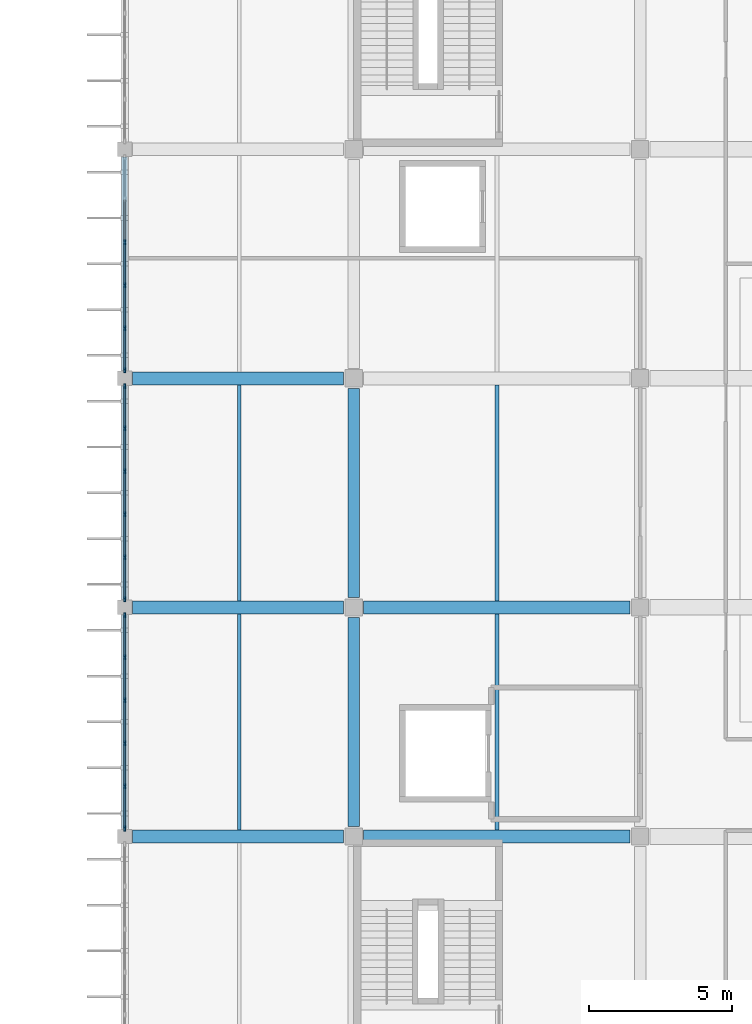
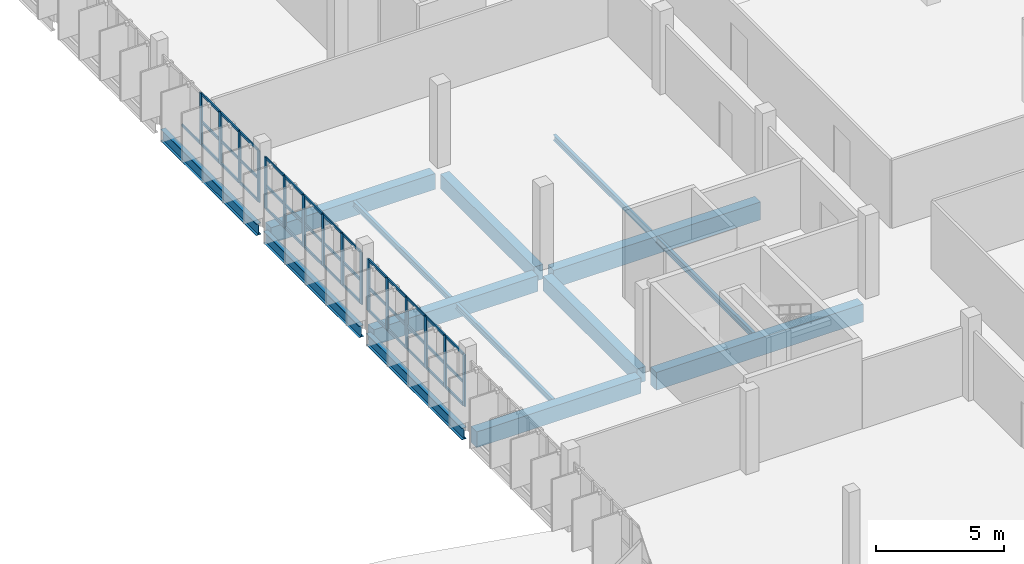
# One storey, part 29 of 66: 56 members, 14 beams, 3 elements without a shape of their own.
"""IFC4 building model written with IfcOpenShell, lengths in metres."""

from ifc_helpers import new_model, si_unit, direction, frame, origin, origin_2d, place, context, subcontext, project, spatial, rectangle, i_section, extrude, material, layer, layer_set, material_profile, profile_set, type_object, element, aggregate, save


model = new_model("IFC4")

# Units and contexts
model_context = context("Model", 3, precision=1e-05, world=origin(), true_north=direction((0.0, 1.0)))
body_context = subcontext(model_context, "Body", "Model", "MODEL_VIEW")
ifc_project = project(units=[si_unit("LENGTHUNIT", "METRE"), si_unit("AREAUNIT", "SQUARE_METRE"), si_unit("VOLUMEUNIT", "CUBIC_METRE"), si_unit("PLANEANGLEUNIT", "RADIAN"), si_unit("MASSUNIT", "GRAM", prefix="KILO")], contexts=[model_context])

# Site, building, storey
site_placement = place(None, origin())
site = spatial("IfcSite", under=ifc_project, at=site_placement, CompositionType="ELEMENT")
building_placement = place(site_placement, origin())
building = spatial("IfcBuilding", under=site, at=building_placement, Name="Drelvana Railside Aquatics Centre", CompositionType="ELEMENT")
storey_placement = place(building_placement, frame((0.0, 0.0, 10.199951171875)))
storey = spatial("IfcBuildingStorey", under=building, at=storey_placement, Name="L02", CompositionType="ELEMENT", Elevation=10.199951171875)

# Curtain wall, members
ifc_material_1 = material(Name="Bronze-anodised aluminium curtain wall", Category="aluminium")
ifc_layer = layer(ifc_material_1, 0.175048828125, Name="Bronze-anodised aluminium curtain wall")
ifc_layer_set = layer_set([ifc_layer], Name="Bronze-anodised aluminium curtain wall")
curtain_wall_type = type_object("IfcCurtainWallType", Name="CW-Z6-WING", PredefinedType="NOTDEFINED", material=ifc_layer_set)
curtain_wall_1_placement = place(storey_placement, origin())
curtain_wall_1 = element("IfcCurtainWall", 1, at=curtain_wall_1_placement, inside=storey, type_object=curtain_wall_type, Name="Curtain wall CW-06-142", PredefinedType="NOTDEFINED")
ifc_material_2 = material(Name="Bronze-anodised aluminium 6063-T6", Category="aluminium")
ifc_material_profile_1 = material_profile(ifc_material_2, rectangle(XDim=0.06494140625, YDim=0.175048828125, at=origin_2d()), Name="ALU-M 65x175")
ifc_profile_set_1 = profile_set([ifc_material_profile_1], Name="Bronze-anodised aluminium 6063-T6")
member_type_1 = type_object("IfcMemberType", Name="CW-Z6-WING-MUL", PredefinedType="MULLION", material=ifc_profile_set_1)
member_1_placement = place(storey_placement, frame((144.0, 32.276611328125, 0.7939453125), z_axis=(0.0, 0.0, 1.0), x_axis=(-1.0, 0.0, 0.0)))
member_1 = element("IfcMember", 2, at=member_1_placement, type_object=member_type_1, Name="CW-06 mullion 1", PredefinedType="MULLION", context=body_context, shape_type="SweptSolid", body=[
    extrude(rectangle(XDim=0.06494140625, YDim=0.175048828125, at=origin_2d()), origin(), (0.0, 0.0, 1.0), 2.4560546875),
])
member_2_placement = place(storey_placement, frame((144.0, 33.746337890625, 0.7939453125), z_axis=(0.0, 0.0, 1.0), x_axis=(-1.0, 0.0, 0.0)))
member_2 = element("IfcMember", 3, at=member_2_placement, type_object=member_type_1, Name="CW-06 mullion 2", PredefinedType="MULLION", context=body_context, shape_type="SweptSolid", body=[
    extrude(rectangle(XDim=0.06494140625, YDim=0.175048828125, at=origin_2d()), origin(), (0.0, 0.0, 1.0), 2.4560546875),
])
member_3_placement = place(storey_placement, frame((144.0, 35.248779296875, 0.7939453125), z_axis=(0.0, 0.0, 1.0), x_axis=(-1.0, 0.0, 0.0)))
member_3 = element("IfcMember", 4, at=member_3_placement, type_object=member_type_1, Name="CW-06 mullion 3", PredefinedType="MULLION", context=body_context, shape_type="SweptSolid", body=[
    extrude(rectangle(XDim=0.06494140625, YDim=0.175048828125, at=origin_2d()), origin(), (0.0, 0.0, 1.0), 2.4560546875),
])
member_4_placement = place(storey_placement, frame((144.0, 36.751220703125, 0.7939453125), z_axis=(0.0, 0.0, 1.0), x_axis=(-1.0, 0.0, 0.0)))
member_4 = element("IfcMember", 5, at=member_4_placement, type_object=member_type_1, Name="CW-06 mullion 4", PredefinedType="MULLION", context=body_context, shape_type="SweptSolid", body=[
    extrude(rectangle(XDim=0.06494140625, YDim=0.175048828125, at=origin_2d()), origin(), (0.0, 0.0, 1.0), 2.4560546875),
])
member_5_placement = place(storey_placement, frame((144.0, 38.253662109375, 0.7939453125), z_axis=(0.0, 0.0, 1.0), x_axis=(-1.0, 0.0, 0.0)))
member_5 = element("IfcMember", 6, at=member_5_placement, type_object=member_type_1, Name="CW-06 mullion 5", PredefinedType="MULLION", context=body_context, shape_type="SweptSolid", body=[
    extrude(rectangle(XDim=0.06494140625, YDim=0.175048828125, at=origin_2d()), origin(), (0.0, 0.0, 1.0), 2.4560546875),
])
member_6_placement = place(storey_placement, frame((144.0, 39.723388671875, 0.7939453125), z_axis=(0.0, 0.0, 1.0), x_axis=(-1.0, 0.0, 0.0)))
member_6 = element("IfcMember", 7, at=member_6_placement, type_object=member_type_1, Name="CW-06 mullion 6", PredefinedType="MULLION", context=body_context, shape_type="SweptSolid", body=[
    extrude(rectangle(XDim=0.06494140625, YDim=0.175048828125, at=origin_2d()), origin(), (0.0, 0.0, 1.0), 2.4560546875),
])

curtain_wall_2_placement = place(storey_placement, origin())
curtain_wall_2 = element("IfcCurtainWall", 8, at=curtain_wall_2_placement, inside=storey, type_object=curtain_wall_type, Name="Curtain wall CW-06-146", PredefinedType="NOTDEFINED")
member_7_placement = place(storey_placement, frame((144.0, 40.276611328125, 0.7939453125), z_axis=(0.0, 0.0, 1.0), x_axis=(-1.0, 0.0, 0.0)))
member_7 = element("IfcMember", 9, at=member_7_placement, type_object=member_type_1, Name="CW-06 mullion 1", PredefinedType="MULLION", context=body_context, shape_type="SweptSolid", body=[
    extrude(rectangle(XDim=0.06494140625, YDim=0.175048828125, at=origin_2d()), origin(), (0.0, 0.0, 1.0), 2.4560546875),
])
member_8_placement = place(storey_placement, frame((144.0, 41.746337890625, 0.7939453125), z_axis=(0.0, 0.0, 1.0), x_axis=(-1.0, 0.0, 0.0)))
member_8 = element("IfcMember", 10, at=member_8_placement, type_object=member_type_1, Name="CW-06 mullion 2", PredefinedType="MULLION", context=body_context, shape_type="SweptSolid", body=[
    extrude(rectangle(XDim=0.06494140625, YDim=0.175048828125, at=origin_2d()), origin(), (0.0, 0.0, 1.0), 2.4560546875),
])
member_9_placement = place(storey_placement, frame((144.0, 43.248779296875, 0.7939453125), z_axis=(0.0, 0.0, 1.0), x_axis=(-1.0, 0.0, 0.0)))
member_9 = element("IfcMember", 11, at=member_9_placement, type_object=member_type_1, Name="CW-06 mullion 3", PredefinedType="MULLION", context=body_context, shape_type="SweptSolid", body=[
    extrude(rectangle(XDim=0.06494140625, YDim=0.175048828125, at=origin_2d()), origin(), (0.0, 0.0, 1.0), 2.4560546875),
])
member_10_placement = place(storey_placement, frame((144.0, 44.751220703125, 0.7939453125), z_axis=(0.0, 0.0, 1.0), x_axis=(-1.0, 0.0, 0.0)))
member_10 = element("IfcMember", 12, at=member_10_placement, type_object=member_type_1, Name="CW-06 mullion 4", PredefinedType="MULLION", context=body_context, shape_type="SweptSolid", body=[
    extrude(rectangle(XDim=0.06494140625, YDim=0.175048828125, at=origin_2d()), origin(), (0.0, 0.0, 1.0), 2.4560546875),
])
member_11_placement = place(storey_placement, frame((144.0, 46.253662109375, 0.7939453125), z_axis=(0.0, 0.0, 1.0), x_axis=(-1.0, 0.0, 0.0)))
member_11 = element("IfcMember", 13, at=member_11_placement, type_object=member_type_1, Name="CW-06 mullion 5", PredefinedType="MULLION", context=body_context, shape_type="SweptSolid", body=[
    extrude(rectangle(XDim=0.06494140625, YDim=0.175048828125, at=origin_2d()), origin(), (0.0, 0.0, 1.0), 2.4560546875),
])
member_12_placement = place(storey_placement, frame((144.0, 47.723388671875, 0.7939453125), z_axis=(0.0, 0.0, 1.0), x_axis=(-1.0, 0.0, 0.0)))
member_12 = element("IfcMember", 14, at=member_12_placement, type_object=member_type_1, Name="CW-06 mullion 6", PredefinedType="MULLION", context=body_context, shape_type="SweptSolid", body=[
    extrude(rectangle(XDim=0.06494140625, YDim=0.175048828125, at=origin_2d()), origin(), (0.0, 0.0, 1.0), 2.4560546875),
])

curtain_wall_3_placement = place(storey_placement, origin())
curtain_wall_3 = element("IfcCurtainWall", 15, at=curtain_wall_3_placement, inside=storey, type_object=curtain_wall_type, Name="Curtain wall CW-06-150", PredefinedType="NOTDEFINED")
member_13_placement = place(storey_placement, frame((144.0, 48.276611328125, 0.7939453125), z_axis=(0.0, 0.0, 1.0), x_axis=(-1.0, 0.0, 0.0)))
member_13 = element("IfcMember", 16, at=member_13_placement, type_object=member_type_1, Name="CW-06 mullion 1", PredefinedType="MULLION", context=body_context, shape_type="SweptSolid", body=[
    extrude(rectangle(XDim=0.06494140625, YDim=0.175048828125, at=origin_2d()), origin(), (0.0, 0.0, 1.0), 2.4560546875),
])
member_14_placement = place(storey_placement, frame((144.0, 49.746337890625, 0.7939453125), z_axis=(0.0, 0.0, 1.0), x_axis=(-1.0, 0.0, 0.0)))
member_14 = element("IfcMember", 17, at=member_14_placement, type_object=member_type_1, Name="CW-06 mullion 2", PredefinedType="MULLION", context=body_context, shape_type="SweptSolid", body=[
    extrude(rectangle(XDim=0.06494140625, YDim=0.175048828125, at=origin_2d()), origin(), (0.0, 0.0, 1.0), 2.4560546875),
])
member_15_placement = place(storey_placement, frame((144.0, 51.248779296875, 0.7939453125), z_axis=(0.0, 0.0, 1.0), x_axis=(-1.0, 0.0, 0.0)))
member_15 = element("IfcMember", 18, at=member_15_placement, type_object=member_type_1, Name="CW-06 mullion 3", PredefinedType="MULLION", context=body_context, shape_type="SweptSolid", body=[
    extrude(rectangle(XDim=0.06494140625, YDim=0.175048828125, at=origin_2d()), origin(), (0.0, 0.0, 1.0), 2.4560546875),
])
member_16_placement = place(storey_placement, frame((144.0, 52.751220703125, 0.7939453125), z_axis=(0.0, 0.0, 1.0), x_axis=(-1.0, 0.0, 0.0)))
member_16 = element("IfcMember", 19, at=member_16_placement, type_object=member_type_1, Name="CW-06 mullion 4", PredefinedType="MULLION", context=body_context, shape_type="SweptSolid", body=[
    extrude(rectangle(XDim=0.06494140625, YDim=0.175048828125, at=origin_2d()), origin(), (0.0, 0.0, 1.0), 2.4560546875),
])

# Member
ifc_material_profile_2 = material_profile(ifc_material_2, rectangle(XDim=0.1201171875, YDim=0.06005859375, at=origin_2d()), Name="ALU-T 60x120")
ifc_profile_set_2 = profile_set([ifc_material_profile_2], Name="Bronze-anodised aluminium 6063-T6")
member_type_2 = type_object("IfcMemberType", Name="CW-Z6-WING-TRN", PredefinedType="USERDEFINED", material=ifc_profile_set_2)
member_17_placement = place(storey_placement, frame((144.0, 32.303955078125, 0.823974609375), z_axis=(0.0, 1.0, 0.0), x_axis=(0.0, 0.0, 1.0)))
member_17 = element("IfcMember", 20, at=member_17_placement, type_object=member_type_2, Name="CW-06 transom 1.1", ObjectType="TRANSOM", PredefinedType="USERDEFINED", context=body_context, shape_type="SweptSolid", body=[
    extrude(rectangle(XDim=0.1201171875, YDim=0.06005859375, at=origin_2d()), origin(), (0.0, 0.0, 1.0), 1.4150390625),
])

member_18_placement = place(storey_placement, frame((144.0, 32.303955078125, 1.899169921875), z_axis=(0.0, 1.0, 0.0), x_axis=(0.0, 0.0, 1.0)))
member_18 = element("IfcMember", 21, at=member_18_placement, type_object=member_type_2, Name="CW-06 transom 1.2", ObjectType="TRANSOM", PredefinedType="USERDEFINED", context=body_context, shape_type="SweptSolid", body=[
    extrude(rectangle(XDim=0.1201171875, YDim=0.06005859375, at=origin_2d()), origin(), (0.0, 0.0, 1.0), 1.4150390625),
])

member_19_placement = place(storey_placement, frame((144.0, 32.303955078125, 3.219970703125), z_axis=(0.0, 1.0, 0.0), x_axis=(0.0, 0.0, 1.0)))
member_19 = element("IfcMember", 22, at=member_19_placement, type_object=member_type_2, Name="CW-06 transom 1.3", ObjectType="TRANSOM", PredefinedType="USERDEFINED", context=body_context, shape_type="SweptSolid", body=[
    extrude(rectangle(XDim=0.1201171875, YDim=0.06005859375, at=origin_2d()), origin(), (0.0, 0.0, 1.0), 1.4150390625),
])

member_20_placement = place(storey_placement, frame((144.0, 33.77392578125, 0.823974609375), z_axis=(0.0, 1.0, 0.0), x_axis=(0.0, 0.0, 1.0)))
member_20 = element("IfcMember", 23, at=member_20_placement, type_object=member_type_2, Name="CW-06 transom 2.1", ObjectType="TRANSOM", PredefinedType="USERDEFINED", context=body_context, shape_type="SweptSolid", body=[
    extrude(rectangle(XDim=0.1201171875, YDim=0.06005859375, at=origin_2d()), origin(), (0.0, 0.0, 1.0), 1.447265625),
])

member_21_placement = place(storey_placement, frame((144.0, 33.77392578125, 1.899169921875), z_axis=(0.0, 1.0, 0.0), x_axis=(0.0, 0.0, 1.0)))
member_21 = element("IfcMember", 24, at=member_21_placement, type_object=member_type_2, Name="CW-06 transom 2.2", ObjectType="TRANSOM", PredefinedType="USERDEFINED", context=body_context, shape_type="SweptSolid", body=[
    extrude(rectangle(XDim=0.1201171875, YDim=0.06005859375, at=origin_2d()), origin(), (0.0, 0.0, 1.0), 1.447265625),
])

member_22_placement = place(storey_placement, frame((144.0, 33.77392578125, 3.219970703125), z_axis=(0.0, 1.0, 0.0), x_axis=(0.0, 0.0, 1.0)))
member_22 = element("IfcMember", 25, at=member_22_placement, type_object=member_type_2, Name="CW-06 transom 2.3", ObjectType="TRANSOM", PredefinedType="USERDEFINED", context=body_context, shape_type="SweptSolid", body=[
    extrude(rectangle(XDim=0.1201171875, YDim=0.06005859375, at=origin_2d()), origin(), (0.0, 0.0, 1.0), 1.447265625),
])

member_23_placement = place(storey_placement, frame((144.0, 35.2763671875, 0.823974609375), z_axis=(0.0, 1.0, 0.0), x_axis=(0.0, 0.0, 1.0)))
member_23 = element("IfcMember", 26, at=member_23_placement, type_object=member_type_2, Name="CW-06 transom 3.1", ObjectType="TRANSOM", PredefinedType="USERDEFINED", context=body_context, shape_type="SweptSolid", body=[
    extrude(rectangle(XDim=0.1201171875, YDim=0.06005859375, at=origin_2d()), origin(), (0.0, 0.0, 1.0), 1.447265625),
])

member_24_placement = place(storey_placement, frame((144.0, 35.2763671875, 1.899169921875), z_axis=(0.0, 1.0, 0.0), x_axis=(0.0, 0.0, 1.0)))
member_24 = element("IfcMember", 27, at=member_24_placement, type_object=member_type_2, Name="CW-06 transom 3.2", ObjectType="TRANSOM", PredefinedType="USERDEFINED", context=body_context, shape_type="SweptSolid", body=[
    extrude(rectangle(XDim=0.1201171875, YDim=0.06005859375, at=origin_2d()), origin(), (0.0, 0.0, 1.0), 1.447265625),
])

member_25_placement = place(storey_placement, frame((144.0, 35.2763671875, 3.219970703125), z_axis=(0.0, 1.0, 0.0), x_axis=(0.0, 0.0, 1.0)))
member_25 = element("IfcMember", 28, at=member_25_placement, type_object=member_type_2, Name="CW-06 transom 3.3", ObjectType="TRANSOM", PredefinedType="USERDEFINED", context=body_context, shape_type="SweptSolid", body=[
    extrude(rectangle(XDim=0.1201171875, YDim=0.06005859375, at=origin_2d()), origin(), (0.0, 0.0, 1.0), 1.447265625),
])

member_26_placement = place(storey_placement, frame((144.0, 36.77880859375, 0.823974609375), z_axis=(0.0, 1.0, 0.0), x_axis=(0.0, 0.0, 1.0)))
member_26 = element("IfcMember", 29, at=member_26_placement, type_object=member_type_2, Name="CW-06 transom 4.1", ObjectType="TRANSOM", PredefinedType="USERDEFINED", context=body_context, shape_type="SweptSolid", body=[
    extrude(rectangle(XDim=0.1201171875, YDim=0.06005859375, at=origin_2d()), origin(), (0.0, 0.0, 1.0), 1.447265625),
])

member_27_placement = place(storey_placement, frame((144.0, 36.77880859375, 1.899169921875), z_axis=(0.0, 1.0, 0.0), x_axis=(0.0, 0.0, 1.0)))
member_27 = element("IfcMember", 30, at=member_27_placement, type_object=member_type_2, Name="CW-06 transom 4.2", ObjectType="TRANSOM", PredefinedType="USERDEFINED", context=body_context, shape_type="SweptSolid", body=[
    extrude(rectangle(XDim=0.1201171875, YDim=0.06005859375, at=origin_2d()), origin(), (0.0, 0.0, 1.0), 1.447265625),
])

member_28_placement = place(storey_placement, frame((144.0, 36.77880859375, 3.219970703125), z_axis=(0.0, 1.0, 0.0), x_axis=(0.0, 0.0, 1.0)))
member_28 = element("IfcMember", 31, at=member_28_placement, type_object=member_type_2, Name="CW-06 transom 4.3", ObjectType="TRANSOM", PredefinedType="USERDEFINED", context=body_context, shape_type="SweptSolid", body=[
    extrude(rectangle(XDim=0.1201171875, YDim=0.06005859375, at=origin_2d()), origin(), (0.0, 0.0, 1.0), 1.447265625),
])

member_29_placement = place(storey_placement, frame((144.0, 38.281005859375, 0.823974609375), z_axis=(0.0, 1.0, 0.0), x_axis=(0.0, 0.0, 1.0)))
member_29 = element("IfcMember", 32, at=member_29_placement, type_object=member_type_2, Name="CW-06 transom 5.1", ObjectType="TRANSOM", PredefinedType="USERDEFINED", context=body_context, shape_type="SweptSolid", body=[
    extrude(rectangle(XDim=0.1201171875, YDim=0.06005859375, at=origin_2d()), origin(), (0.0, 0.0, 1.0), 1.4150390625),
])

member_30_placement = place(storey_placement, frame((144.0, 38.281005859375, 1.899169921875), z_axis=(0.0, 1.0, 0.0), x_axis=(0.0, 0.0, 1.0)))
member_30 = element("IfcMember", 33, at=member_30_placement, type_object=member_type_2, Name="CW-06 transom 5.2", ObjectType="TRANSOM", PredefinedType="USERDEFINED", context=body_context, shape_type="SweptSolid", body=[
    extrude(rectangle(XDim=0.1201171875, YDim=0.06005859375, at=origin_2d()), origin(), (0.0, 0.0, 1.0), 1.4150390625),
])

member_31_placement = place(storey_placement, frame((144.0, 38.281005859375, 3.219970703125), z_axis=(0.0, 1.0, 0.0), x_axis=(0.0, 0.0, 1.0)))
member_31 = element("IfcMember", 34, at=member_31_placement, type_object=member_type_2, Name="CW-06 transom 5.3", ObjectType="TRANSOM", PredefinedType="USERDEFINED", context=body_context, shape_type="SweptSolid", body=[
    extrude(rectangle(XDim=0.1201171875, YDim=0.06005859375, at=origin_2d()), origin(), (0.0, 0.0, 1.0), 1.4150390625),
])

aggregate(curtain_wall_1, [member_1, member_2, member_3, member_4, member_5, member_6, member_17, member_18, member_19, member_20, member_21, member_22, member_23, member_24, member_25, member_26, member_27, member_28, member_29, member_30, member_31])

member_32_placement = place(storey_placement, frame((144.0, 40.303955078125, 0.823974609375), z_axis=(0.0, 1.0, 0.0), x_axis=(0.0, 0.0, 1.0)))
member_32 = element("IfcMember", 35, at=member_32_placement, type_object=member_type_2, Name="CW-06 transom 1.1", ObjectType="TRANSOM", PredefinedType="USERDEFINED", context=body_context, shape_type="SweptSolid", body=[
    extrude(rectangle(XDim=0.1201171875, YDim=0.06005859375, at=origin_2d()), origin(), (0.0, 0.0, 1.0), 1.4150390625),
])

member_33_placement = place(storey_placement, frame((144.0, 40.303955078125, 1.899169921875), z_axis=(0.0, 1.0, 0.0), x_axis=(0.0, 0.0, 1.0)))
member_33 = element("IfcMember", 36, at=member_33_placement, type_object=member_type_2, Name="CW-06 transom 1.2", ObjectType="TRANSOM", PredefinedType="USERDEFINED", context=body_context, shape_type="SweptSolid", body=[
    extrude(rectangle(XDim=0.1201171875, YDim=0.06005859375, at=origin_2d()), origin(), (0.0, 0.0, 1.0), 1.4150390625),
])

member_34_placement = place(storey_placement, frame((144.0, 40.303955078125, 3.219970703125), z_axis=(0.0, 1.0, 0.0), x_axis=(0.0, 0.0, 1.0)))
member_34 = element("IfcMember", 37, at=member_34_placement, type_object=member_type_2, Name="CW-06 transom 1.3", ObjectType="TRANSOM", PredefinedType="USERDEFINED", context=body_context, shape_type="SweptSolid", body=[
    extrude(rectangle(XDim=0.1201171875, YDim=0.06005859375, at=origin_2d()), origin(), (0.0, 0.0, 1.0), 1.4150390625),
])

member_35_placement = place(storey_placement, frame((144.0, 41.77392578125, 0.823974609375), z_axis=(0.0, 1.0, 0.0), x_axis=(0.0, 0.0, 1.0)))
member_35 = element("IfcMember", 38, at=member_35_placement, type_object=member_type_2, Name="CW-06 transom 2.1", ObjectType="TRANSOM", PredefinedType="USERDEFINED", context=body_context, shape_type="SweptSolid", body=[
    extrude(rectangle(XDim=0.1201171875, YDim=0.06005859375, at=origin_2d()), origin(), (0.0, 0.0, 1.0), 1.447265625),
])

member_36_placement = place(storey_placement, frame((144.0, 41.77392578125, 1.899169921875), z_axis=(0.0, 1.0, 0.0), x_axis=(0.0, 0.0, 1.0)))
member_36 = element("IfcMember", 39, at=member_36_placement, type_object=member_type_2, Name="CW-06 transom 2.2", ObjectType="TRANSOM", PredefinedType="USERDEFINED", context=body_context, shape_type="SweptSolid", body=[
    extrude(rectangle(XDim=0.1201171875, YDim=0.06005859375, at=origin_2d()), origin(), (0.0, 0.0, 1.0), 1.447265625),
])

member_37_placement = place(storey_placement, frame((144.0, 41.77392578125, 3.219970703125), z_axis=(0.0, 1.0, 0.0), x_axis=(0.0, 0.0, 1.0)))
member_37 = element("IfcMember", 40, at=member_37_placement, type_object=member_type_2, Name="CW-06 transom 2.3", ObjectType="TRANSOM", PredefinedType="USERDEFINED", context=body_context, shape_type="SweptSolid", body=[
    extrude(rectangle(XDim=0.1201171875, YDim=0.06005859375, at=origin_2d()), origin(), (0.0, 0.0, 1.0), 1.447265625),
])

member_38_placement = place(storey_placement, frame((144.0, 43.2763671875, 0.823974609375), z_axis=(0.0, 1.0, 0.0), x_axis=(0.0, 0.0, 1.0)))
member_38 = element("IfcMember", 41, at=member_38_placement, type_object=member_type_2, Name="CW-06 transom 3.1", ObjectType="TRANSOM", PredefinedType="USERDEFINED", context=body_context, shape_type="SweptSolid", body=[
    extrude(rectangle(XDim=0.1201171875, YDim=0.06005859375, at=origin_2d()), origin(), (0.0, 0.0, 1.0), 1.447265625),
])

member_39_placement = place(storey_placement, frame((144.0, 43.2763671875, 1.899169921875), z_axis=(0.0, 1.0, 0.0), x_axis=(0.0, 0.0, 1.0)))
member_39 = element("IfcMember", 42, at=member_39_placement, type_object=member_type_2, Name="CW-06 transom 3.2", ObjectType="TRANSOM", PredefinedType="USERDEFINED", context=body_context, shape_type="SweptSolid", body=[
    extrude(rectangle(XDim=0.1201171875, YDim=0.06005859375, at=origin_2d()), origin(), (0.0, 0.0, 1.0), 1.447265625),
])

member_40_placement = place(storey_placement, frame((144.0, 43.2763671875, 3.219970703125), z_axis=(0.0, 1.0, 0.0), x_axis=(0.0, 0.0, 1.0)))
member_40 = element("IfcMember", 43, at=member_40_placement, type_object=member_type_2, Name="CW-06 transom 3.3", ObjectType="TRANSOM", PredefinedType="USERDEFINED", context=body_context, shape_type="SweptSolid", body=[
    extrude(rectangle(XDim=0.1201171875, YDim=0.06005859375, at=origin_2d()), origin(), (0.0, 0.0, 1.0), 1.447265625),
])

member_41_placement = place(storey_placement, frame((144.0, 44.77880859375, 0.823974609375), z_axis=(0.0, 1.0, 0.0), x_axis=(0.0, 0.0, 1.0)))
member_41 = element("IfcMember", 44, at=member_41_placement, type_object=member_type_2, Name="CW-06 transom 4.1", ObjectType="TRANSOM", PredefinedType="USERDEFINED", context=body_context, shape_type="SweptSolid", body=[
    extrude(rectangle(XDim=0.1201171875, YDim=0.06005859375, at=origin_2d()), origin(), (0.0, 0.0, 1.0), 1.447265625),
])

member_42_placement = place(storey_placement, frame((144.0, 44.77880859375, 1.899169921875), z_axis=(0.0, 1.0, 0.0), x_axis=(0.0, 0.0, 1.0)))
member_42 = element("IfcMember", 45, at=member_42_placement, type_object=member_type_2, Name="CW-06 transom 4.2", ObjectType="TRANSOM", PredefinedType="USERDEFINED", context=body_context, shape_type="SweptSolid", body=[
    extrude(rectangle(XDim=0.1201171875, YDim=0.06005859375, at=origin_2d()), origin(), (0.0, 0.0, 1.0), 1.447265625),
])

member_43_placement = place(storey_placement, frame((144.0, 44.77880859375, 3.219970703125), z_axis=(0.0, 1.0, 0.0), x_axis=(0.0, 0.0, 1.0)))
member_43 = element("IfcMember", 46, at=member_43_placement, type_object=member_type_2, Name="CW-06 transom 4.3", ObjectType="TRANSOM", PredefinedType="USERDEFINED", context=body_context, shape_type="SweptSolid", body=[
    extrude(rectangle(XDim=0.1201171875, YDim=0.06005859375, at=origin_2d()), origin(), (0.0, 0.0, 1.0), 1.447265625),
])

member_44_placement = place(storey_placement, frame((144.0, 46.281005859375, 0.823974609375), z_axis=(0.0, 1.0, 0.0), x_axis=(0.0, 0.0, 1.0)))
member_44 = element("IfcMember", 47, at=member_44_placement, type_object=member_type_2, Name="CW-06 transom 5.1", ObjectType="TRANSOM", PredefinedType="USERDEFINED", context=body_context, shape_type="SweptSolid", body=[
    extrude(rectangle(XDim=0.1201171875, YDim=0.06005859375, at=origin_2d()), origin(), (0.0, 0.0, 1.0), 1.4150390625),
])

member_45_placement = place(storey_placement, frame((144.0, 46.281005859375, 1.899169921875), z_axis=(0.0, 1.0, 0.0), x_axis=(0.0, 0.0, 1.0)))
member_45 = element("IfcMember", 48, at=member_45_placement, type_object=member_type_2, Name="CW-06 transom 5.2", ObjectType="TRANSOM", PredefinedType="USERDEFINED", context=body_context, shape_type="SweptSolid", body=[
    extrude(rectangle(XDim=0.1201171875, YDim=0.06005859375, at=origin_2d()), origin(), (0.0, 0.0, 1.0), 1.4150390625),
])

member_46_placement = place(storey_placement, frame((144.0, 46.281005859375, 3.219970703125), z_axis=(0.0, 1.0, 0.0), x_axis=(0.0, 0.0, 1.0)))
member_46 = element("IfcMember", 49, at=member_46_placement, type_object=member_type_2, Name="CW-06 transom 5.3", ObjectType="TRANSOM", PredefinedType="USERDEFINED", context=body_context, shape_type="SweptSolid", body=[
    extrude(rectangle(XDim=0.1201171875, YDim=0.06005859375, at=origin_2d()), origin(), (0.0, 0.0, 1.0), 1.4150390625),
])

aggregate(curtain_wall_2, [member_7, member_8, member_9, member_10, member_11, member_12, member_32, member_33, member_34, member_35, member_36, member_37, member_38, member_39, member_40, member_41, member_42, member_43, member_44, member_45, member_46])

member_47_placement = place(storey_placement, frame((144.0, 48.303955078125, 0.823974609375), z_axis=(0.0, 1.0, 0.0), x_axis=(0.0, 0.0, 1.0)))
member_47 = element("IfcMember", 50, at=member_47_placement, type_object=member_type_2, Name="CW-06 transom 1.1", ObjectType="TRANSOM", PredefinedType="USERDEFINED", context=body_context, shape_type="SweptSolid", body=[
    extrude(rectangle(XDim=0.1201171875, YDim=0.06005859375, at=origin_2d()), origin(), (0.0, 0.0, 1.0), 1.4150390625),
])

member_48_placement = place(storey_placement, frame((144.0, 48.303955078125, 1.899169921875), z_axis=(0.0, 1.0, 0.0), x_axis=(0.0, 0.0, 1.0)))
member_48 = element("IfcMember", 51, at=member_48_placement, type_object=member_type_2, Name="CW-06 transom 1.2", ObjectType="TRANSOM", PredefinedType="USERDEFINED", context=body_context, shape_type="SweptSolid", body=[
    extrude(rectangle(XDim=0.1201171875, YDim=0.06005859375, at=origin_2d()), origin(), (0.0, 0.0, 1.0), 1.4150390625),
])

member_49_placement = place(storey_placement, frame((144.0, 48.303955078125, 3.219970703125), z_axis=(0.0, 1.0, 0.0), x_axis=(0.0, 0.0, 1.0)))
member_49 = element("IfcMember", 52, at=member_49_placement, type_object=member_type_2, Name="CW-06 transom 1.3", ObjectType="TRANSOM", PredefinedType="USERDEFINED", context=body_context, shape_type="SweptSolid", body=[
    extrude(rectangle(XDim=0.1201171875, YDim=0.06005859375, at=origin_2d()), origin(), (0.0, 0.0, 1.0), 1.4150390625),
])

member_50_placement = place(storey_placement, frame((144.0, 49.77392578125, 0.823974609375), z_axis=(0.0, 1.0, 0.0), x_axis=(0.0, 0.0, 1.0)))
member_50 = element("IfcMember", 53, at=member_50_placement, type_object=member_type_2, Name="CW-06 transom 2.1", ObjectType="TRANSOM", PredefinedType="USERDEFINED", context=body_context, shape_type="SweptSolid", body=[
    extrude(rectangle(XDim=0.1201171875, YDim=0.06005859375, at=origin_2d()), origin(), (0.0, 0.0, 1.0), 1.447265625),
])

member_51_placement = place(storey_placement, frame((144.0, 49.77392578125, 1.899169921875), z_axis=(0.0, 1.0, 0.0), x_axis=(0.0, 0.0, 1.0)))
member_51 = element("IfcMember", 54, at=member_51_placement, type_object=member_type_2, Name="CW-06 transom 2.2", ObjectType="TRANSOM", PredefinedType="USERDEFINED", context=body_context, shape_type="SweptSolid", body=[
    extrude(rectangle(XDim=0.1201171875, YDim=0.06005859375, at=origin_2d()), origin(), (0.0, 0.0, 1.0), 1.447265625),
])

member_52_placement = place(storey_placement, frame((144.0, 49.77392578125, 3.219970703125), z_axis=(0.0, 1.0, 0.0), x_axis=(0.0, 0.0, 1.0)))
member_52 = element("IfcMember", 55, at=member_52_placement, type_object=member_type_2, Name="CW-06 transom 2.3", ObjectType="TRANSOM", PredefinedType="USERDEFINED", context=body_context, shape_type="SweptSolid", body=[
    extrude(rectangle(XDim=0.1201171875, YDim=0.06005859375, at=origin_2d()), origin(), (0.0, 0.0, 1.0), 1.447265625),
])

member_53_placement = place(storey_placement, frame((144.0, 51.2763671875, 0.823974609375), z_axis=(0.0, 1.0, 0.0), x_axis=(0.0, 0.0, 1.0)))
member_53 = element("IfcMember", 56, at=member_53_placement, type_object=member_type_2, Name="CW-06 transom 3.1", ObjectType="TRANSOM", PredefinedType="USERDEFINED", context=body_context, shape_type="SweptSolid", body=[
    extrude(rectangle(XDim=0.1201171875, YDim=0.06005859375, at=origin_2d()), origin(), (0.0, 0.0, 1.0), 1.447265625),
])

member_54_placement = place(storey_placement, frame((144.0, 51.2763671875, 1.899169921875), z_axis=(0.0, 1.0, 0.0), x_axis=(0.0, 0.0, 1.0)))
member_54 = element("IfcMember", 57, at=member_54_placement, type_object=member_type_2, Name="CW-06 transom 3.2", ObjectType="TRANSOM", PredefinedType="USERDEFINED", context=body_context, shape_type="SweptSolid", body=[
    extrude(rectangle(XDim=0.1201171875, YDim=0.06005859375, at=origin_2d()), origin(), (0.0, 0.0, 1.0), 1.447265625),
])

member_55_placement = place(storey_placement, frame((144.0, 51.2763671875, 3.219970703125), z_axis=(0.0, 1.0, 0.0), x_axis=(0.0, 0.0, 1.0)))
member_55 = element("IfcMember", 58, at=member_55_placement, type_object=member_type_2, Name="CW-06 transom 3.3", ObjectType="TRANSOM", PredefinedType="USERDEFINED", context=body_context, shape_type="SweptSolid", body=[
    extrude(rectangle(XDim=0.1201171875, YDim=0.06005859375, at=origin_2d()), origin(), (0.0, 0.0, 1.0), 1.447265625),
])

member_56_placement = place(storey_placement, frame((144.0, 52.77880859375, 0.823974609375), z_axis=(0.0, 1.0, 0.0), x_axis=(0.0, 0.0, 1.0)))
member_56 = element("IfcMember", 59, at=member_56_placement, type_object=member_type_2, Name="CW-06 transom 4.1", ObjectType="TRANSOM", PredefinedType="USERDEFINED", context=body_context, shape_type="SweptSolid", body=[
    extrude(rectangle(XDim=0.1201171875, YDim=0.06005859375, at=origin_2d()), origin(), (0.0, 0.0, 1.0), 1.447265625),
])

aggregate(curtain_wall_3, [member_13, member_14, member_15, member_16, member_47, member_48, member_49, member_50, member_51, member_52, member_53, member_54, member_55, member_56])

# Beams
ifc_material_3 = material(Name="Concrete C40/50", Category="concrete")
ifc_material_profile_3 = material_profile(ifc_material_3, rectangle(XDim=0.39990234375, YDim=0.699951171875, at=origin_2d()), Name="RC 400x700")
ifc_profile_set_3 = profile_set([ifc_material_profile_3], Name="Concrete C40/50")
beam_type_1 = type_object("IfcBeamType", Name="STR-BM-BM-03-RC-400x700", PredefinedType="BEAM", material=ifc_profile_set_3)
for number, where, z_axis, x_axis, name in (
    (60, (152.0, 32.35009765625, -0.599853515625), (0.0, 1.0, 0.0), (-1.0, 0.0, 0.0), "Girder BM-03 (L02)"),
    (61, (152.0, 40.35009765625, -0.599853515625), (0.0, 1.0, 0.0), (-1.0, 0.0, 0.0), "Girder BM-03 (L02)"),
):
    element("IfcBeam", number, at=place(storey_placement, frame(where, z_axis=z_axis, x_axis=x_axis)), inside=storey, type_object=beam_type_1, Name=name, PredefinedType="BEAM", context=body_context, shape_type="SweptSolid", body=[
        extrude(rectangle(XDim=0.39990234375, YDim=0.699951171875, at=origin_2d()), origin(), (0.0, 0.0, 1.0), 7.2998046875),
    ])
ifc_material_profile_4 = material_profile(ifc_material_3, rectangle(XDim=0.449951171875, YDim=0.75, at=origin_2d()), Name="RC 450x750")
ifc_profile_set_4 = profile_set([ifc_material_profile_4], Name="Concrete C40/50")
beam_type_2 = type_object("IfcBeamType", Name="STR-BM-BM-04-RC-450x750", PredefinedType="BEAM", material=ifc_profile_set_4)
for number, where, z_axis, x_axis, name in (
    (62, (144.27490234375, 32.0, -0.625), (1.0, 0.0, 0.0), (0.0, 1.0, 0.0), "Girder BM-04 (L02)"),
    (63, (144.27490234375, 40.0, -0.625), (1.0, 0.0, 0.0), (0.0, 1.0, 0.0), "Girder BM-04 (L02)"),
    (64, (144.27490234375, 48.0, -0.625), (1.0, 0.0, 0.0), (0.0, 1.0, 0.0), "Girder BM-04 (L02)"),
):
    element("IfcBeam", number, at=place(storey_placement, frame(where, z_axis=z_axis, x_axis=x_axis)), inside=storey, type_object=beam_type_2, Name=name, PredefinedType="BEAM", context=body_context, shape_type="SweptSolid", body=[
        extrude(rectangle(XDim=0.449951171875, YDim=0.75, at=origin_2d()), origin(), (0.0, 0.0, 1.0), 7.375),
    ])
ifc_material_profile_5 = material_profile(ifc_material_3, rectangle(XDim=0.449951171875, YDim=0.85009765625, at=origin_2d()), Name="RC 450x850")
ifc_profile_set_5 = profile_set([ifc_material_profile_5], Name="Concrete C40/50")
beam_type_3 = type_object("IfcBeamType", Name="STR-BM-BM-05-RC-450x850", PredefinedType="BEAM", material=ifc_profile_set_5)
for number, where, z_axis, x_axis, name in (
    (65, (152.35009765625, 32.0, -0.675048828125), (1.0, 0.0, 0.0), (0.0, 1.0, 0.0), "Girder BM-05 (L02)"),
    (66, (152.35009765625, 40.0, -0.675048828125), (1.0, 0.0, 0.0), (0.0, 1.0, 0.0), "Girder BM-05 (L02)"),
):
    element("IfcBeam", number, at=place(storey_placement, frame(where, z_axis=z_axis, x_axis=x_axis)), inside=storey, type_object=beam_type_3, Name=name, PredefinedType="BEAM", context=body_context, shape_type="SweptSolid", body=[
        extrude(rectangle(XDim=0.449951171875, YDim=0.85009765625, at=origin_2d()), origin(), (0.0, 0.0, 1.0), 9.2998046875),
    ])
ifc_material_4 = material(Name="Structural steel S355", Category="steel")
ifc_material_profile_6 = material_profile(ifc_material_4, i_section(OverallWidth=0.2099609375, OverallDepth=0.550048828125, WebThickness=0.010986328125, FlangeThickness=0.01708984375, at=origin_2d()), Name="IPE 550")
ifc_profile_set_6 = profile_set([ifc_material_profile_6], Name="Structural steel S355")
beam_type_4 = type_object("IfcBeamType", Name="STR-SBM-SB-04-IPE-550", PredefinedType="SPANDREL", material=ifc_profile_set_6)
for number, where, z_axis, x_axis, name in (
    (67, (144.0, 32.27490234375, -0.52490234375), (0.0, 1.0, 0.0), (-1.0, 0.0, 0.0), "Girder SB-04 (L02)"),
    (68, (144.0, 40.27490234375, -0.52490234375), (0.0, 1.0, 0.0), (-1.0, 0.0, 0.0), "Girder SB-04 (L02)"),
    (69, (144.0, 48.27490234375, -0.52490234375), (0.0, 1.0, 0.0), (-1.0, 0.0, 0.0), "Girder SB-04 (L02)"),
):
    element("IfcBeam", number, at=place(storey_placement, frame(where, z_axis=z_axis, x_axis=x_axis)), inside=storey, type_object=beam_type_4, Name=name, PredefinedType="SPANDREL", context=body_context, shape_type="SweptSolid", body=[
        extrude(i_section(OverallWidth=0.2099609375, OverallDepth=0.550048828125, WebThickness=0.010986328125, FlangeThickness=0.01708984375, at=origin_2d()), origin(), (0.0, 0.0, 1.0), 7.4501953125),
    ])
ifc_material_profile_7 = material_profile(ifc_material_4, i_section(OverallWidth=0.135009765625, OverallDepth=0.27001953125, WebThickness=0.006591796875, FlangeThickness=0.01025390625, at=origin_2d()), Name="IPE 270")
ifc_profile_set_7 = profile_set([ifc_material_profile_7], Name="Structural steel S355")
beam_type_5 = type_object("IfcBeamType", Name="STR-SBM-SJ-02-IPE-270", PredefinedType="JOIST", material=ifc_profile_set_7)
for number, where, z_axis, x_axis, name in (
    (70, (148.0, 32.22509765625, -0.385009765625), (0.0, 1.0, 0.0), (-1.0, 0.0, 0.0), "Secondary floor joist SJ-02 (L02)"),
    (71, (148.0, 40.22509765625, -0.385009765625), (0.0, 1.0, 0.0), (-1.0, 0.0, 0.0), "Secondary floor joist SJ-02 (L02)"),
    (72, (157.0, 32.22509765625, -0.385009765625), (0.0, 1.0, 0.0), (-1.0, 0.0, 0.0), "Secondary floor joist SJ-02 (L02)"),
    (73, (157.0, 40.22509765625, -0.385009765625), (0.0, 1.0, 0.0), (-1.0, 0.0, 0.0), "Secondary floor joist SJ-02 (L02)"),
):
    element("IfcBeam", number, at=place(storey_placement, frame(where, z_axis=z_axis, x_axis=x_axis)), inside=storey, type_object=beam_type_5, Name=name, PredefinedType="JOIST", context=body_context, shape_type="SweptSolid", body=[
        extrude(i_section(OverallWidth=0.135009765625, OverallDepth=0.27001953125, WebThickness=0.006591796875, FlangeThickness=0.01025390625, at=origin_2d()), origin(), (0.0, 0.0, 1.0), 7.5498046875),
    ])

save(model, "model.ifc")
